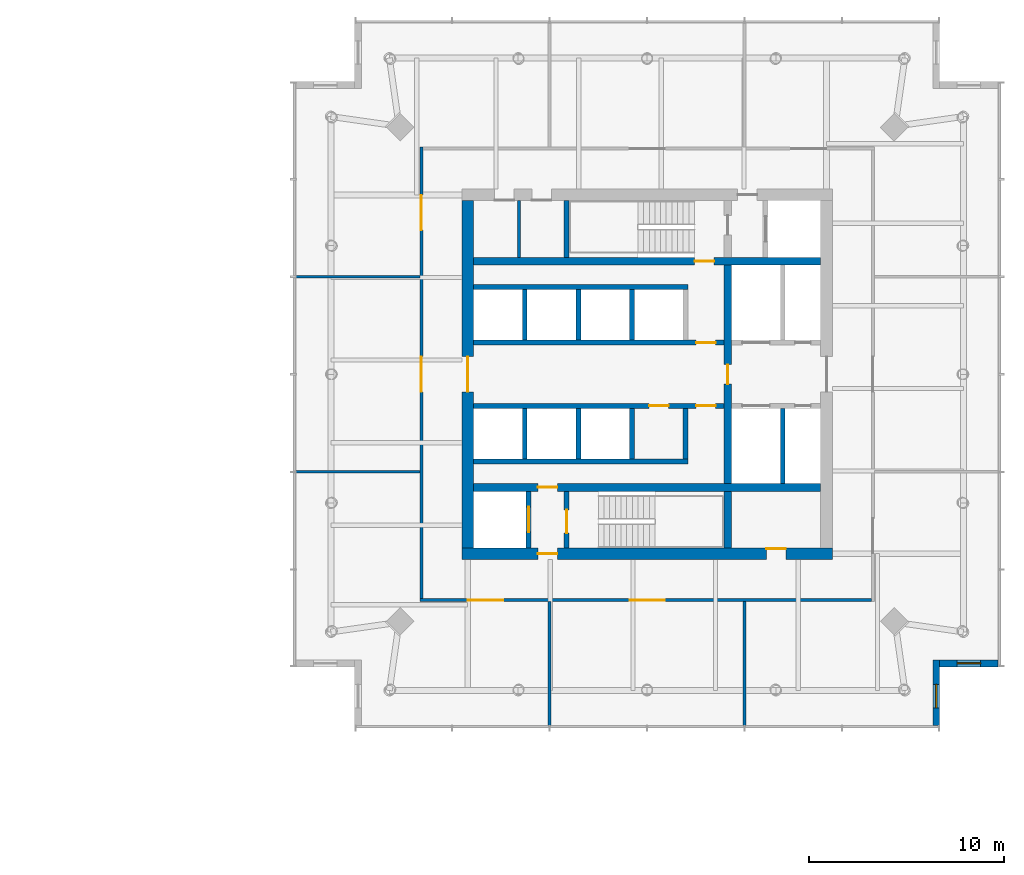
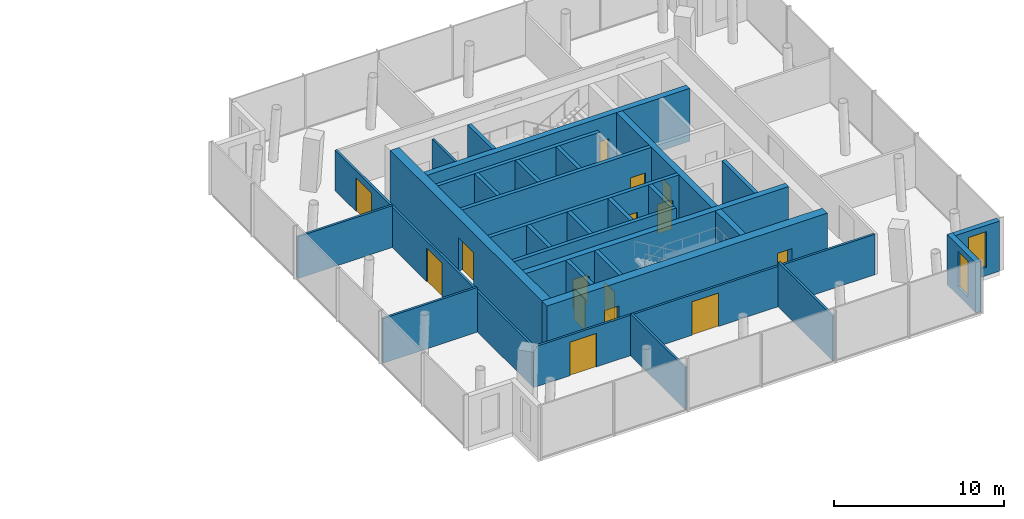
# One storey, part 14 of 18: 30 walls, 15 doors, 2 windows, 17 openings.
"""IFC4 building model written with IfcOpenShell, lengths in metres."""

from ifc_helpers import new_model, si_unit, direction, frame, frame_2d, origin, place, context, subcontext, project, spatial, rectangle, extrude, material, layer, layer_set, type_object, element, fill, save


model = new_model("IFC4")

# Units and contexts
model_context = context("Model", 3, precision=1e-05, world=origin(), true_north=direction((0.0, 1.0)))
body_context = subcontext(model_context, "Body", "Model", "MODEL_VIEW")
ifc_project = project(units=[si_unit("LENGTHUNIT", "METRE"), si_unit("AREAUNIT", "SQUARE_METRE"), si_unit("VOLUMEUNIT", "CUBIC_METRE"), si_unit("PLANEANGLEUNIT", "RADIAN"), si_unit("MASSUNIT", "GRAM", prefix="KILO")], contexts=[model_context])

# Site, building, storey
site_placement = place(None, origin())
site = spatial("IfcSite", under=ifc_project, at=site_placement, CompositionType="ELEMENT")
building_placement = place(site_placement, origin())
building = spatial("IfcBuilding", under=site, at=building_placement, Name="Ostroluk Exchange", CompositionType="ELEMENT")
storey_placement = place(building_placement, frame((0.0, 0.0, 85.60009765625)))
storey = spatial("IfcBuildingStorey", under=building, at=storey_placement, Name="L21", CompositionType="ELEMENT", Elevation=85.60009765625)

# Walls
ifc_material_1 = material(Name="Concrete blockwork", Category="masonry")
ifc_layer_1 = layer(ifc_material_1, 0.14990234375)
ifc_layer_set_1 = layer_set([ifc_layer_1], Name="Blockwork plant room wall 150")
wall_type_1 = type_object("IfcWallType", Name="Blockwork plant room wall 150", PredefinedType="SOLIDWALL", material=ifc_layer_set_1)
wall_1_placement = place(storey_placement, frame((110.425048828125, 52.0, 0.0), z_axis=(0.0, 0.0, 1.0), x_axis=(0.0, 1.0, 0.0)))
element("IfcWall", 1, at=wall_1_placement, inside=storey, type_object=wall_type_1, Name="Core room wall", PredefinedType="SOLIDWALL", context=body_context, shape_type="SweptSolid", body=[
    extrude(rectangle(XDim=2.89990234375, YDim=0.14990234375, at=frame_2d((1.449951171875, 0.0))), origin(), (0.0, 0.0, 1.0), 3.599853515625),
])
wall_2_placement = place(storey_placement, frame((105.35009765625, 51.0, 0.0), z_axis=(0.0, 0.0, 1.0), x_axis=(-1.0, 0.0, 0.0)))
element("IfcWall", 2, at=wall_2_placement, inside=storey, type_object=wall_type_1, Name="Plant room wall", PredefinedType="SOLIDWALL", context=body_context, shape_type="SweptSolid", body=[
    extrude(rectangle(XDim=6.39013671875, YDim=0.14990234375, at=frame_2d((3.195068359375, 0.0))), origin(), (0.0, 0.0, 1.0), 3.0),
])

# Wall, openings, doors
wall_3_placement = place(storey_placement, frame((105.425048828125, 57.64990234375, 0.0), z_axis=(0.0, 0.0, 1.0), x_axis=(0.0, -1.0, 0.0)))
wall_3 = element("IfcWall", 3, at=wall_3_placement, inside=storey, type_object=wall_type_1, Name="Plant room wall", PredefinedType="SOLIDWALL", context=body_context, shape_type="SweptSolid", body=[
    extrude(rectangle(XDim=23.14990234375, YDim=0.14990234375, at=frame_2d((11.574951171875, 0.0))), origin(), (0.0, 0.0, 1.0), 2.89990234375),
])
opening_1_placement = place(wall_3_placement, frame((2.46240234375, 0.0, 0.0)))
opening_1 = element("IfcOpeningElement", 4, at=opening_1_placement, cuts=wall_3, Name="Opening D-05", PredefinedType="OPENING", context=body_context, shape_type="SweptSolid", body=[
    extrude(rectangle(XDim=1.800048828125, YDim=2.39990234375, at=frame_2d((0.89990234375, 1.199951171875))), frame((0.0, 0.0849609375, 0.0), z_axis=(0.0, -1.0, 0.0), x_axis=(1.0, 0.0, 0.0)), (0.0, 0.0, 1.0), 0.169921875),
])
opening_2_placement = place(wall_3_placement, frame((10.75, 0.0, 0.0)))
opening_2 = element("IfcOpeningElement", 5, at=opening_2_placement, cuts=wall_3, Name="Opening D-05", PredefinedType="OPENING", context=body_context, shape_type="SweptSolid", body=[
    extrude(rectangle(XDim=1.800048828125, YDim=2.39990234375, at=frame_2d((0.89990234375, 1.199951171875))), frame((0.0, 0.0849609375, 0.0), z_axis=(0.0, -1.0, 0.0), x_axis=(1.0, 0.0, 0.0)), (0.0, 0.0, 1.0), 0.169921875),
])
ifc_material_2 = material(Name="Steel", Category="steel")
door_type_1 = type_object("IfcDoorType", Name="Plant room double door EI 60 1800 x 2400", OperationType="DOUBLE_DOOR_SINGLE_SWING", PredefinedType="DOOR", material=ifc_material_2)
door_1_placement = place(opening_1_placement, origin())
door_1 = element("IfcDoor", 6, at=door_1_placement, inside=storey, type_object=door_type_1, Name="Electrical switch room door", OperationType="DOUBLE_DOOR_SINGLE_SWING", OverallHeight=2.39990234375, OverallWidth=1.800048828125, PredefinedType="DOOR", context=body_context, shape_type="SweptSolid", body=[
    extrude(rectangle(XDim=1.800048828125, YDim=2.39990234375, at=frame_2d((0.89990234375, 1.199951171875))), frame((0.0, 0.02490234375, 0.0), z_axis=(0.0, -1.0, 0.0), x_axis=(1.0, 0.0, 0.0)), (0.0, 0.0, 1.0), 0.050048828125),
])
fill(opening_1, door_1)
door_2_placement = place(opening_2_placement, origin())
door_2 = element("IfcDoor", 7, at=door_2_placement, inside=storey, type_object=door_type_1, Name="Transformer room door", OperationType="DOUBLE_DOOR_SINGLE_SWING", OverallHeight=2.39990234375, OverallWidth=1.800048828125, PredefinedType="DOOR", context=body_context, shape_type="SweptSolid", body=[
    extrude(rectangle(XDim=1.800048828125, YDim=2.39990234375, at=frame_2d((0.89990234375, 1.199951171875))), frame((0.0, 0.02490234375, 0.0), z_axis=(0.0, -1.0, 0.0), x_axis=(1.0, 0.0, 0.0)), (0.0, 0.0, 1.0), 0.050048828125),
])
fill(opening_2, door_2)

# Walls
wall_4_placement = place(storey_placement, frame((105.35009765625, 41.0, 0.0), z_axis=(0.0, 0.0, 1.0), x_axis=(-1.0, 0.0, 0.0)))
element("IfcWall", 8, at=wall_4_placement, inside=storey, type_object=wall_type_1, Name="Plant room wall", PredefinedType="SOLIDWALL", context=body_context, shape_type="SweptSolid", body=[
    extrude(rectangle(XDim=6.39013671875, YDim=0.14990234375, at=frame_2d((3.195068359375, 0.0))), origin(), (0.0, 0.0, 1.0), 3.199951171875),
])
wall_5_placement = place(storey_placement, frame((112.0, 34.35009765625, 0.0), z_axis=(0.0, 0.0, 1.0), x_axis=(0.0, -1.0, 0.0)))
element("IfcWall", 9, at=wall_5_placement, inside=storey, type_object=wall_type_1, Name="Plant room wall", PredefinedType="SOLIDWALL", context=body_context, shape_type="SweptSolid", body=[
    extrude(rectangle(XDim=6.39013671875, YDim=0.14990234375, at=frame_2d((3.195068359375, 0.0))), origin(), (0.0, 0.0, 1.0), 3.0),
])

# Wall, openings, doors
wall_6_placement = place(storey_placement, frame((105.35009765625, 34.425048828125, 0.0), z_axis=(0.0, 0.0, 1.0), x_axis=(1.0, 0.0, 0.0)))
wall_6 = element("IfcWall", 10, at=wall_6_placement, inside=storey, type_object=wall_type_1, Name="Plant room wall", PredefinedType="SOLIDWALL", context=body_context, shape_type="SweptSolid", body=[
    extrude(rectangle(XDim=23.14990234375, YDim=0.14990234375, at=frame_2d((11.574951171875, 0.0))), origin(), (0.0, 0.0, 1.0), 2.89990234375),
])
opening_3_placement = place(wall_6_placement, frame((2.46240234375, 0.0, 0.0)))
opening_3 = element("IfcOpeningElement", 11, at=opening_3_placement, cuts=wall_6, Name="Opening D-05", PredefinedType="OPENING", context=body_context, shape_type="SweptSolid", body=[
    extrude(rectangle(XDim=1.800048828125, YDim=2.39990234375, at=frame_2d((0.89990234375, 1.199951171875))), frame((0.0, 0.0849609375, 0.0), z_axis=(0.0, -1.0, 0.0), x_axis=(1.0, 0.0, 0.0)), (0.0, 0.0, 1.0), 0.169921875),
])
opening_4_placement = place(wall_6_placement, frame((10.75, 0.0, 0.0)))
opening_4 = element("IfcOpeningElement", 12, at=opening_4_placement, cuts=wall_6, Name="Opening D-05", PredefinedType="OPENING", context=body_context, shape_type="SweptSolid", body=[
    extrude(rectangle(XDim=1.800048828125, YDim=2.39990234375, at=frame_2d((0.89990234375, 1.199951171875))), frame((0.0, 0.0849609375, 0.0), z_axis=(0.0, -1.0, 0.0), x_axis=(1.0, 0.0, 0.0)), (0.0, 0.0, 1.0), 0.169921875),
])
door_3_placement = place(opening_3_placement, origin())
door_3 = element("IfcDoor", 13, at=door_3_placement, inside=storey, type_object=door_type_1, Name="Sprinkler pump room door", OperationType="DOUBLE_DOOR_SINGLE_SWING", OverallHeight=2.39990234375, OverallWidth=1.800048828125, PredefinedType="DOOR", context=body_context, shape_type="SweptSolid", body=[
    extrude(rectangle(XDim=1.800048828125, YDim=2.39990234375, at=frame_2d((0.89990234375, 1.199951171875))), frame((0.0, 0.02490234375, 0.0), z_axis=(0.0, -1.0, 0.0), x_axis=(1.0, 0.0, 0.0)), (0.0, 0.0, 1.0), 0.050048828125),
])
fill(opening_3, door_3)
door_4_placement = place(opening_4_placement, origin())
door_4 = element("IfcDoor", 14, at=door_4_placement, inside=storey, type_object=door_type_1, Name="Chiller plant room door", OperationType="DOUBLE_DOOR_SINGLE_SWING", OverallHeight=2.39990234375, OverallWidth=1.800048828125, PredefinedType="DOOR", context=body_context, shape_type="SweptSolid", body=[
    extrude(rectangle(XDim=1.800048828125, YDim=2.39990234375, at=frame_2d((0.89990234375, 1.199951171875))), frame((0.0, 0.02490234375, 0.0), z_axis=(0.0, -1.0, 0.0), x_axis=(1.0, 0.0, 0.0)), (0.0, 0.0, 1.0), 0.050048828125),
])
fill(opening_4, door_4)

# Wall
wall_7_placement = place(storey_placement, frame((122.0, 34.35009765625, 0.0), z_axis=(0.0, 0.0, 1.0), x_axis=(0.0, -1.0, 0.0)))
element("IfcWall", 15, at=wall_7_placement, inside=storey, type_object=wall_type_1, Name="Plant room wall", PredefinedType="SOLIDWALL", context=body_context, shape_type="SweptSolid", body=[
    extrude(rectangle(XDim=6.39013671875, YDim=0.14990234375, at=frame_2d((3.195068359375, 0.0))), origin(), (0.0, 0.0, 1.0), 3.199951171875),
])

# Wall, opening, door
ifc_material_3 = material(Name="Concrete C50/60", Category="concrete")
ifc_layer_2 = layer(ifc_material_3, 0.39990234375)
ifc_layer_set_2 = layer_set([ifc_layer_2], Name="Core cross wall 400 C50/60")
wall_type_2 = type_object("IfcWallType", Name="Core cross wall 400 C50/60", PredefinedType="SHEAR", material=ifc_layer_set_2)
wall_8_placement = place(storey_placement, frame((108.10009765625, 40.199951171875, 0.0), z_axis=(0.0, 0.0, 1.0), x_axis=(1.0, 0.0, 0.0)))
wall_8 = element("IfcWall", 16, at=wall_8_placement, inside=storey, type_object=wall_type_2, Name="T2 core wall XS", PredefinedType="SHEAR", context=body_context, shape_type="SweptSolid", body=[
    extrude(rectangle(XDim=17.7998046875, YDim=0.39990234375, at=frame_2d((8.89990234375, 0.0))), origin(), (0.0, 0.0, 1.0), 3.7998046875),
])
opening_5_placement = place(wall_8_placement, frame((3.300048828125, 0.0, 0.0)))
opening_5 = element("IfcOpeningElement", 17, at=opening_5_placement, cuts=wall_8, Name="Opening FD60", PredefinedType="OPENING", context=body_context, shape_type="SweptSolid", body=[
    extrude(rectangle(XDim=1.0, YDim=2.10009765625, at=frame_2d((0.5, 1.050048828125))), frame((0.0, 0.2099609375, 0.0), z_axis=(0.0, -1.0, 0.0), x_axis=(1.0, 0.0, 0.0)), (0.0, 0.0, 1.0), 0.419921875),
])
ifc_material_4 = material(Name="Steel", Category="steel")
door_type_2 = type_object("IfcDoorType", Name="Fire door EI 60 1000 x 2100", OperationType="SINGLE_SWING_LEFT", PredefinedType="DOOR", material=ifc_material_4)
door_5_placement = place(opening_5_placement, origin())
door_5 = element("IfcDoor", 18, at=door_5_placement, inside=storey, type_object=door_type_2, Name="Core link door", OperationType="SINGLE_SWING_LEFT", OverallHeight=2.10009765625, OverallWidth=1.0, PredefinedType="DOOR", context=body_context, shape_type="SweptSolid", body=[
    extrude(rectangle(XDim=1.0, YDim=2.10009765625, at=frame_2d((0.5, 1.050048828125))), frame((0.0, 0.02490234375, 0.0), z_axis=(0.0, -1.0, 0.0), x_axis=(1.0, 0.0, 0.0)), (0.0, 0.0, 1.0), 0.050048828125),
])
fill(opening_5, door_5)

wall_9_placement = place(storey_placement, frame((108.10009765625, 51.800048828125, 0.0), z_axis=(0.0, 0.0, 1.0), x_axis=(1.0, 0.0, 0.0)))
wall_9 = element("IfcWall", 19, at=wall_9_placement, inside=storey, type_object=wall_type_2, Name="T2 core wall XN", PredefinedType="SHEAR", context=body_context, shape_type="SweptSolid", body=[
    extrude(rectangle(XDim=17.7998046875, YDim=0.39990234375, at=frame_2d((8.89990234375, 0.0))), origin(), (0.0, 0.0, 1.0), 3.7998046875),
])
opening_6_placement = place(wall_9_placement, frame((11.330078125, 0.0, 0.0)))
opening_6 = element("IfcOpeningElement", 20, at=opening_6_placement, cuts=wall_9, Name="Opening FD60", PredefinedType="OPENING", context=body_context, shape_type="SweptSolid", body=[
    extrude(rectangle(XDim=1.0, YDim=2.10009765625, at=frame_2d((0.5, 1.050048828125))), frame((0.0, 0.2099609375, 0.0), z_axis=(0.0, -1.0, 0.0), x_axis=(1.0, 0.0, 0.0)), (0.0, 0.0, 1.0), 0.419921875),
])
door_6_placement = place(opening_6_placement, origin())
door_6 = element("IfcDoor", 21, at=door_6_placement, inside=storey, type_object=door_type_2, Name="Stair T2-S2 lobby door", OperationType="SINGLE_SWING_RIGHT", OverallHeight=2.10009765625, OverallWidth=1.0, PredefinedType="DOOR", context=body_context, shape_type="SweptSolid", body=[
    extrude(rectangle(XDim=1.0, YDim=2.10009765625, at=frame_2d((0.5, 1.050048828125))), frame((0.0, 0.02490234375, 0.0), z_axis=(0.0, -1.0, 0.0), x_axis=(1.0, 0.0, 0.0)), (0.0, 0.0, 1.0), 0.050048828125),
])
fill(opening_6, door_6)

# Wall
wall_10_placement = place(storey_placement, frame((121.1298828125, 37.10009765625, 0.0), z_axis=(0.0, 0.0, 1.0), x_axis=(0.0, 1.0, 0.0)))
element("IfcWall", 22, at=wall_10_placement, inside=storey, type_object=wall_type_2, Name="T2 core wall YE1", PredefinedType="SHEAR", context=body_context, shape_type="SweptSolid", body=[
    extrude(rectangle(XDim=2.89990234375, YDim=0.39990234375, at=frame_2d((1.449951171875, 0.0))), origin(), (0.0, 0.0, 1.0), 3.7998046875),
])

# Wall, opening, door
wall_11_placement = place(storey_placement, frame((121.1298828125, 40.39990234375, 0.0), z_axis=(0.0, 0.0, 1.0), x_axis=(0.0, 1.0, 0.0)))
wall_11 = element("IfcWall", 23, at=wall_11_placement, inside=storey, type_object=wall_type_2, Name="T2 core wall YE2", PredefinedType="SHEAR", context=body_context, shape_type="SweptSolid", body=[
    extrude(rectangle(XDim=11.2001953125, YDim=0.39990234375, at=frame_2d((5.60009765625, 0.0))), origin(), (0.0, 0.0, 1.0), 3.7998046875),
])
opening_7_placement = place(wall_11_placement, frame((5.10009765625, 0.0, 0.0)))
opening_7 = element("IfcOpeningElement", 24, at=opening_7_placement, cuts=wall_11, Name="Opening FD60", PredefinedType="OPENING", context=body_context, shape_type="SweptSolid", body=[
    extrude(rectangle(XDim=1.0, YDim=2.10009765625, at=frame_2d((0.5, 1.050048828125))), frame((0.0, 0.2099609375, 0.0), z_axis=(0.0, -1.0, 0.0), x_axis=(1.0, 0.0, 0.0)), (0.0, 0.0, 1.0), 0.419921875),
])
door_7_placement = place(opening_7_placement, origin())
door_7 = element("IfcDoor", 25, at=door_7_placement, inside=storey, type_object=door_type_2, Name="Core link door", OperationType="SINGLE_SWING_LEFT", OverallHeight=2.10009765625, OverallWidth=1.0, PredefinedType="DOOR", context=body_context, shape_type="SweptSolid", body=[
    extrude(rectangle(XDim=1.0, YDim=2.10009765625, at=frame_2d((0.5, 1.050048828125))), frame((0.0, 0.02490234375, 0.0), z_axis=(0.0, -1.0, 0.0), x_axis=(1.0, 0.0, 0.0)), (0.0, 0.0, 1.0), 0.050048828125),
])
fill(opening_7, door_7)

ifc_material_5 = material(Name="Concrete C40/50", Category="concrete")
ifc_layer_3 = layer(ifc_material_5, 0.25)
ifc_layer_set_3 = layer_set([ifc_layer_3], Name="Core shaft wall 250")
wall_type_3 = type_object("IfcWallType", Name="Core shaft wall 250", PredefinedType="SHEAR", material=ifc_layer_set_3)
wall_12_placement = place(storey_placement, frame((110.925048828125, 37.10009765625, 0.0), z_axis=(0.0, 0.0, 1.0), x_axis=(0.0, 1.0, 0.0)))
wall_12 = element("IfcWall", 26, at=wall_12_placement, inside=storey, type_object=wall_type_3, Name="Firefighting lift shaft wall", PredefinedType="SHEAR", context=body_context, shape_type="SweptSolid", body=[
    extrude(rectangle(XDim=2.89990234375, YDim=0.25, at=frame_2d((1.449951171875, 0.0))), origin(), (0.0, 0.0, 1.0), 3.7998046875),
])
opening_8_placement = place(wall_12_placement, frame((0.800048828125, 0.0, 0.0)))
opening_8 = element("IfcOpeningElement", 27, at=opening_8_placement, cuts=wall_12, Name="Opening LD2", PredefinedType="OPENING", context=body_context, shape_type="SweptSolid", body=[
    extrude(rectangle(XDim=1.300048828125, YDim=2.199951171875, at=frame_2d((0.64990234375, 1.10009765625))), frame((0.0, 0.135009765625, 0.0), z_axis=(0.0, -1.0, 0.0), x_axis=(1.0, 0.0, 0.0)), (0.0, 0.0, 1.0), 0.27001953125),
])
ifc_material_6 = material(Name="Stainless steel", Category="steel")
door_type_3 = type_object("IfcDoorType", Name="Lift landing door E 60 1300 x 2200", OperationType="DOUBLE_DOOR_SLIDING", PredefinedType="DOOR", material=ifc_material_6)
door_8_placement = place(opening_8_placement, origin())
door_8 = element("IfcDoor", 28, at=door_8_placement, inside=storey, type_object=door_type_3, Name="Lift HF1 landing door", OperationType="DOUBLE_DOOR_SLIDING", OverallHeight=2.199951171875, OverallWidth=1.300048828125, PredefinedType="DOOR", context=body_context, shape_type="SweptSolid", body=[
    extrude(rectangle(XDim=1.300048828125, YDim=2.199951171875, at=frame_2d((0.64990234375, 1.10009765625))), frame((0.0, 0.02490234375, 0.0), z_axis=(0.0, -1.0, 0.0), x_axis=(1.0, 0.0, 0.0)), (0.0, 0.0, 1.0), 0.050048828125),
])
fill(opening_8, door_8)

wall_13_placement = place(storey_placement, frame((112.875, 37.10009765625, 0.0), z_axis=(0.0, 0.0, 1.0), x_axis=(0.0, 1.0, 0.0)))
wall_13 = element("IfcWall", 29, at=wall_13_placement, inside=storey, type_object=wall_type_3, Name="Stair shaft wall", PredefinedType="SHEAR", context=body_context, shape_type="SweptSolid", body=[
    extrude(rectangle(XDim=2.89990234375, YDim=0.25, at=frame_2d((1.449951171875, 0.0))), origin(), (0.0, 0.0, 1.0), 3.7998046875),
])
opening_9_placement = place(wall_13_placement, frame((0.75, 0.0, 0.0)))
opening_9 = element("IfcOpeningElement", 30, at=opening_9_placement, cuts=wall_13, Name="Opening FD60S", PredefinedType="OPENING", context=body_context, shape_type="SweptSolid", body=[
    extrude(rectangle(XDim=1.199951171875, YDim=2.10009765625, at=frame_2d((0.60009765625, 1.050048828125))), frame((0.0, 0.135009765625, 0.0), z_axis=(0.0, -1.0, 0.0), x_axis=(1.0, 0.0, 0.0)), (0.0, 0.0, 1.0), 0.27001953125),
])
ifc_material_7 = material(Name="Steel", Category="steel")
door_type_4 = type_object("IfcDoorType", Name="Stair door EI 60 1200 x 2100", OperationType="SINGLE_SWING_LEFT", PredefinedType="DOOR", material=ifc_material_7)
door_9_placement = place(opening_9_placement, origin())
door_9 = element("IfcDoor", 31, at=door_9_placement, inside=storey, type_object=door_type_4, Name="Stair T2-S1 door", OperationType="SINGLE_SWING_LEFT", OverallHeight=2.10009765625, OverallWidth=1.199951171875, PredefinedType="DOOR", context=body_context, shape_type="SweptSolid", body=[
    extrude(rectangle(XDim=1.199951171875, YDim=2.10009765625, at=frame_2d((0.60009765625, 1.050048828125))), frame((0.0, 0.02490234375, 0.0), z_axis=(0.0, -1.0, 0.0), x_axis=(1.0, 0.0, 0.0)), (0.0, 0.0, 1.0), 0.050048828125),
])
fill(opening_9, door_9)

# Walls
wall_14_placement = place(storey_placement, frame((112.875, 52.0, 0.0), z_axis=(0.0, 0.0, 1.0), x_axis=(0.0, 1.0, 0.0)))
element("IfcWall", 32, at=wall_14_placement, inside=storey, type_object=wall_type_3, Name="Stair shaft wall", PredefinedType="SHEAR", context=body_context, shape_type="SweptSolid", body=[
    extrude(rectangle(XDim=2.89990234375, YDim=0.25, at=frame_2d((1.449951171875, 0.0))), origin(), (0.0, 0.0, 1.0), 3.7998046875),
])
for number, where, z_axis, x_axis, name in (
    (33, (110.72509765625, 47.75, 0.0), (0.0, 0.0, 1.0), (0.0, 1.0, 0.0), "Lift shaft wall"),
    (34, (113.47509765625, 47.75, 0.0), (0.0, 0.0, 1.0), (0.0, 1.0, 0.0), "Lift shaft wall"),
    (35, (116.22509765625, 47.75, 0.0), (0.0, 0.0, 1.0), (0.0, 1.0, 0.0), "Lift shaft wall"),
):
    element("IfcWall", number, at=place(storey_placement, frame(where, z_axis=z_axis, x_axis=x_axis)), inside=storey, type_object=wall_type_3, Name=name, PredefinedType="SHEAR", context=body_context, shape_type="SweptSolid", body=[
        extrude(rectangle(XDim=2.60009765625, YDim=0.25, at=frame_2d((1.300048828125, 0.0))), origin(), (0.0, 0.0, 1.0), 3.7998046875),
    ])
wall_15_placement = place(storey_placement, frame((108.10009765625, 50.47509765625, 0.0), z_axis=(0.0, 0.0, 1.0), x_axis=(1.0, 0.0, 0.0)))
element("IfcWall", 36, at=wall_15_placement, inside=storey, type_object=wall_type_3, Name="Lift shaft wall", PredefinedType="SHEAR", context=body_context, shape_type="SweptSolid", body=[
    extrude(rectangle(XDim=11.0, YDim=0.25, at=frame_2d((5.5, 0.0))), origin(), (0.0, 0.0, 1.0), 3.7998046875),
])

# Wall, opening, door
wall_16_placement = place(storey_placement, frame((108.10009765625, 47.625, 0.0), z_axis=(0.0, 0.0, 1.0), x_axis=(1.0, 0.0, 0.0)))
wall_16 = element("IfcWall", 37, at=wall_16_placement, inside=storey, type_object=wall_type_3, Name="Lift shaft front wall", PredefinedType="SHEAR", context=body_context, shape_type="SweptSolid", body=[
    extrude(rectangle(XDim=12.829833984375, YDim=0.25, at=frame_2d((6.4150390625, 0.0))), origin(), (0.0, 0.0, 1.0), 3.7998046875),
])
opening_10_placement = place(wall_16_placement, frame((11.4150390625, 0.0, 0.0)))
opening_10 = element("IfcOpeningElement", 38, at=opening_10_placement, cuts=wall_16, Name="Opening FD60", PredefinedType="OPENING", context=body_context, shape_type="SweptSolid", body=[
    extrude(rectangle(XDim=1.0, YDim=2.10009765625, at=frame_2d((0.5, 1.050048828125))), frame((0.0, 0.135009765625, 0.0), z_axis=(0.0, -1.0, 0.0), x_axis=(1.0, 0.0, 0.0)), (0.0, 0.0, 1.0), 0.27001953125),
])
door_10_placement = place(opening_10_placement, origin())
door_10 = element("IfcDoor", 39, at=door_10_placement, inside=storey, type_object=door_type_2, Name="Core link door", OperationType="SINGLE_SWING_RIGHT", OverallHeight=2.10009765625, OverallWidth=1.0, PredefinedType="DOOR", context=body_context, shape_type="SweptSolid", body=[
    extrude(rectangle(XDim=1.0, YDim=2.10009765625, at=frame_2d((0.5, 1.050048828125))), frame((0.0, 0.02490234375, 0.0), z_axis=(0.0, -1.0, 0.0), x_axis=(1.0, 0.0, 0.0)), (0.0, 0.0, 1.0), 0.050048828125),
])
fill(opening_10, door_10)

# Walls
for number, where, z_axis, x_axis, name in (
    (40, (110.72509765625, 44.25, 0.0), (0.0, 0.0, 1.0), (0.0, -1.0, 0.0), "Lift shaft wall"),
    (41, (113.47509765625, 44.25, 0.0), (0.0, 0.0, 1.0), (0.0, -1.0, 0.0), "Lift shaft wall"),
    (42, (116.22509765625, 44.25, 0.0), (0.0, 0.0, 1.0), (0.0, -1.0, 0.0), "Lift shaft wall"),
    (43, (118.97509765625, 44.25, 0.0), (0.0, 0.0, 1.0), (0.0, -1.0, 0.0), "Lift shaft wall"),
):
    element("IfcWall", number, at=place(storey_placement, frame(where, z_axis=z_axis, x_axis=x_axis)), inside=storey, type_object=wall_type_3, Name=name, PredefinedType="SHEAR", context=body_context, shape_type="SweptSolid", body=[
        extrude(rectangle(XDim=2.60009765625, YDim=0.25, at=frame_2d((1.300048828125, 0.0))), origin(), (0.0, 0.0, 1.0), 3.7998046875),
    ])
wall_17_placement = place(storey_placement, frame((108.10009765625, 41.52490234375, 0.0), z_axis=(0.0, 0.0, 1.0), x_axis=(1.0, 0.0, 0.0)))
element("IfcWall", 44, at=wall_17_placement, inside=storey, type_object=wall_type_3, Name="Lift shaft wall", PredefinedType="SHEAR", context=body_context, shape_type="SweptSolid", body=[
    extrude(rectangle(XDim=11.0, YDim=0.25, at=frame_2d((5.5, 0.0))), origin(), (0.0, 0.0, 1.0), 3.7998046875),
])

# Wall, openings, doors
wall_18_placement = place(storey_placement, frame((108.10009765625, 44.375, 0.0), z_axis=(0.0, 0.0, 1.0), x_axis=(1.0, 0.0, 0.0)))
wall_18 = element("IfcWall", 45, at=wall_18_placement, inside=storey, type_object=wall_type_3, Name="Lift shaft front wall", PredefinedType="SHEAR", context=body_context, shape_type="SweptSolid", body=[
    extrude(rectangle(XDim=12.829833984375, YDim=0.25, at=frame_2d((6.4150390625, 0.0))), origin(), (0.0, 0.0, 1.0), 3.7998046875),
])
opening_11_placement = place(wall_18_placement, frame((9.0, 0.0, 0.0)))
opening_11 = element("IfcOpeningElement", 46, at=opening_11_placement, cuts=wall_18, Name="Opening FD60", PredefinedType="OPENING", context=body_context, shape_type="SweptSolid", body=[
    extrude(rectangle(XDim=1.0, YDim=2.10009765625, at=frame_2d((0.5, 1.050048828125))), frame((0.0, 0.135009765625, 0.0), z_axis=(0.0, -1.0, 0.0), x_axis=(1.0, 0.0, 0.0)), (0.0, 0.0, 1.0), 0.27001953125),
])
opening_12_placement = place(wall_18_placement, frame((11.4150390625, 0.0, 0.0)))
opening_12 = element("IfcOpeningElement", 47, at=opening_12_placement, cuts=wall_18, Name="Opening FD60", PredefinedType="OPENING", context=body_context, shape_type="SweptSolid", body=[
    extrude(rectangle(XDim=1.0, YDim=2.10009765625, at=frame_2d((0.5, 1.050048828125))), frame((0.0, 0.135009765625, 0.0), z_axis=(0.0, -1.0, 0.0), x_axis=(1.0, 0.0, 0.0)), (0.0, 0.0, 1.0), 0.27001953125),
])
door_11_placement = place(opening_11_placement, origin())
door_11 = element("IfcDoor", 48, at=door_11_placement, inside=storey, type_object=door_type_2, Name="Core room door", OperationType="SINGLE_SWING_RIGHT", OverallHeight=2.10009765625, OverallWidth=1.0, PredefinedType="DOOR", context=body_context, shape_type="SweptSolid", body=[
    extrude(rectangle(XDim=1.0, YDim=2.10009765625, at=frame_2d((0.5, 1.050048828125))), frame((0.0, 0.02490234375, 0.0), z_axis=(0.0, -1.0, 0.0), x_axis=(1.0, 0.0, 0.0)), (0.0, 0.0, 1.0), 0.050048828125),
])
fill(opening_11, door_11)
door_12_placement = place(opening_12_placement, origin())
door_12 = element("IfcDoor", 49, at=door_12_placement, inside=storey, type_object=door_type_2, Name="Core link door", OperationType="SINGLE_SWING_RIGHT", OverallHeight=2.10009765625, OverallWidth=1.0, PredefinedType="DOOR", context=body_context, shape_type="SweptSolid", body=[
    extrude(rectangle(XDim=1.0, YDim=2.10009765625, at=frame_2d((0.5, 1.050048828125))), frame((0.0, 0.02490234375, 0.0), z_axis=(0.0, -1.0, 0.0), x_axis=(1.0, 0.0, 0.0)), (0.0, 0.0, 1.0), 0.050048828125),
])
fill(opening_12, door_12)

# Wall
wall_19_placement = place(storey_placement, frame((123.955078125, 44.25, 0.0), z_axis=(0.0, 0.0, 1.0), x_axis=(0.0, -1.0, 0.0)))
element("IfcWall", 50, at=wall_19_placement, inside=storey, type_object=wall_type_3, Name="Lift shaft wall", PredefinedType="SHEAR", context=body_context, shape_type="SweptSolid", body=[
    extrude(rectangle(XDim=3.85009765625, YDim=0.25, at=frame_2d((1.925048828125, 0.0))), origin(), (0.0, 0.0, 1.0), 3.7998046875),
])

# Wall, openings, doors
ifc_material_8 = material(Name="Concrete C50/60", Category="concrete")
ifc_layer_4 = layer(ifc_material_8, 0.60009765625)
ifc_layer_set_4 = layer_set([ifc_layer_4], Name="Core wall 600 C50/60")
wall_type_4 = type_object("IfcWallType", Name="Core wall 600 C50/60", PredefinedType="SHEAR", material=ifc_layer_set_4)
wall_20_placement = place(storey_placement, frame((107.5, 36.800048828125, 0.0), z_axis=(0.0, 0.0, 1.0), x_axis=(1.0, 0.0, 0.0)))
wall_20 = element("IfcWall", 51, at=wall_20_placement, inside=storey, type_object=wall_type_4, Name="T2 core wall S", PredefinedType="SHEAR", context=body_context, shape_type="SweptSolid", body=[
    extrude(rectangle(XDim=19.0, YDim=0.60009765625, at=frame_2d((9.5, 0.0))), origin(), (0.0, 0.0, 1.0), 3.7998046875),
])
opening_13_placement = place(wall_20_placement, frame((3.89990234375, 0.0, 0.0)))
opening_13 = element("IfcOpeningElement", 52, at=opening_13_placement, cuts=wall_20, Name="Opening FD60", PredefinedType="OPENING", context=body_context, shape_type="SweptSolid", body=[
    extrude(rectangle(XDim=1.0, YDim=2.10009765625, at=frame_2d((0.5, 1.050048828125))), frame((0.0, 0.31005859375, 0.0), z_axis=(0.0, -1.0, 0.0), x_axis=(1.0, 0.0, 0.0)), (0.0, 0.0, 1.0), 0.6201171875),
])
opening_14_placement = place(wall_20_placement, frame((15.614990234375, 0.0, 0.0)))
opening_14 = element("IfcOpeningElement", 53, at=opening_14_placement, cuts=wall_20, Name="Opening FD60", PredefinedType="OPENING", context=body_context, shape_type="SweptSolid", body=[
    extrude(rectangle(XDim=1.0, YDim=2.10009765625, at=frame_2d((0.5, 1.050048828125))), frame((0.0, 0.31005859375, 0.0), z_axis=(0.0, -1.0, 0.0), x_axis=(1.0, 0.0, 0.0)), (0.0, 0.0, 1.0), 0.6201171875),
])
door_13_placement = place(opening_13_placement, origin())
door_13 = element("IfcDoor", 54, at=door_13_placement, inside=storey, type_object=door_type_2, Name="Firefighting lobby door", OperationType="SINGLE_SWING_LEFT", OverallHeight=2.10009765625, OverallWidth=1.0, PredefinedType="DOOR", context=body_context, shape_type="SweptSolid", body=[
    extrude(rectangle(XDim=1.0, YDim=2.10009765625, at=frame_2d((0.5, 1.050048828125))), frame((0.0, 0.02490234375, 0.0), z_axis=(0.0, -1.0, 0.0), x_axis=(1.0, 0.0, 0.0)), (0.0, 0.0, 1.0), 0.050048828125),
])
fill(opening_13, door_13)
door_14_placement = place(opening_14_placement, origin())
door_14 = element("IfcDoor", 55, at=door_14_placement, inside=storey, type_object=door_type_2, Name="Plant control room door", OperationType="SINGLE_SWING_RIGHT", OverallHeight=2.10009765625, OverallWidth=1.0, PredefinedType="DOOR", context=body_context, shape_type="SweptSolid", body=[
    extrude(rectangle(XDim=1.0, YDim=2.10009765625, at=frame_2d((0.5, 1.050048828125))), frame((0.0, 0.2900390625, 0.0), z_axis=(0.0, -1.0, 0.0), x_axis=(1.0, 0.0, 0.0)), (0.0, 0.0, 1.0), 0.050048828125),
])
fill(opening_14, door_14)

# Wall, opening, door
wall_21_placement = place(storey_placement, frame((107.800048828125, 37.10009765625, 0.0), z_axis=(0.0, 0.0, 1.0), x_axis=(0.0, 1.0, 0.0)))
wall_21 = element("IfcWall", 56, at=wall_21_placement, inside=storey, type_object=wall_type_4, Name="T2 core wall W", PredefinedType="SHEAR", context=body_context, shape_type="SweptSolid", body=[
    extrude(rectangle(XDim=17.7998046875, YDim=0.60009765625, at=frame_2d((8.89990234375, 0.0))), origin(), (0.0, 0.0, 1.0), 3.7998046875),
])
opening_15_placement = place(wall_21_placement, frame((8.0, 0.0, 0.0)))
opening_15 = element("IfcOpeningElement", 57, at=opening_15_placement, cuts=wall_21, Name="Opening FD30D", PredefinedType="OPENING", context=body_context, shape_type="SweptSolid", body=[
    extrude(rectangle(XDim=1.800048828125, YDim=2.39990234375, at=frame_2d((0.89990234375, 1.199951171875))), frame((0.0, 0.31005859375, 0.0), z_axis=(0.0, -1.0, 0.0), x_axis=(1.0, 0.0, 0.0)), (0.0, 0.0, 1.0), 0.6201171875),
])
ifc_material_9 = material(Name="Timber", Category="wood")
door_type_5 = type_object("IfcDoorType", Name="Lobby double door EI 30 1800 x 2400", OperationType="DOUBLE_DOOR_SINGLE_SWING", PredefinedType="DOOR", material=ifc_material_9)
door_15_placement = place(opening_15_placement, origin())
door_15 = element("IfcDoor", 58, at=door_15_placement, inside=storey, type_object=door_type_5, Name="Lift lobby doors", OperationType="DOUBLE_DOOR_SINGLE_SWING", OverallHeight=2.39990234375, OverallWidth=1.800048828125, PredefinedType="DOOR", context=body_context, shape_type="SweptSolid", body=[
    extrude(rectangle(XDim=1.800048828125, YDim=2.39990234375, at=frame_2d((0.89990234375, 1.199951171875))), frame((0.0, 0.02490234375, 0.0), z_axis=(0.0, -1.0, 0.0), x_axis=(1.0, 0.0, 0.0)), (0.0, 0.0, 1.0), 0.050048828125),
])
fill(opening_15, door_15)

# Wall, opening, window
ifc_material_10 = material(Name="Limestone", Category="masonry")
ifc_layer_5 = layer(ifc_material_10, 0.35009765625)
ifc_layer_set_5 = layer_set([ifc_layer_5], Name="Limestone facade wall 350")
wall_type_5 = type_object("IfcWallType", Name="Limestone facade wall 350", PredefinedType="SOLIDWALL", material=ifc_layer_set_5)
wall_22_placement = place(storey_placement, frame((131.824951171875, 28.0, 0.0), z_axis=(0.0, 0.0, 1.0), x_axis=(0.0, 1.0, 0.0)))
wall_22 = element("IfcWall", 59, at=wall_22_placement, inside=storey, type_object=wall_type_5, Name="Hotel tower SE corner wall L21 a", PredefinedType="SOLIDWALL", context=body_context, shape_type="SweptSolid", body=[
    extrude(rectangle(XDim=3.35009765625, YDim=0.35009765625, at=frame_2d((1.675048828125, 0.0))), origin(), (0.0, 0.0, 1.0), 3.599853515625),
])
opening_16_placement = place(wall_22_placement, frame((0.89990234375, 0.0, 0.60009765625)))
opening_16 = element("IfcOpeningElement", 60, at=opening_16_placement, cuts=wall_22, Name="Opening WN-LV1", PredefinedType="OPENING", context=body_context, shape_type="SweptSolid", body=[
    extrude(rectangle(XDim=1.199951171875, YDim=2.550048828125, at=frame_2d((0.60009765625, 1.27490234375))), frame((0.0, 0.18505859375, 0.0), z_axis=(0.0, -1.0, 0.0), x_axis=(1.0, 0.0, 0.0)), (0.0, 0.0, 1.0), 0.3701171875),
])
ifc_material_11 = material(Name="Aluminium louvre", Category="aluminium")
window_type = type_object("IfcWindowType", Name="Lancet louvre 1200 x 2550", PartitioningType="SINGLE_PANEL", PredefinedType="USERDEFINED", material=ifc_material_11)
window_1_placement = place(opening_16_placement, origin())
window_1 = element("IfcWindow", 61, at=window_1_placement, inside=storey, type_object=window_type, Name="Hotel tower SE plant louvre L21", ObjectType="LOUVRE", OverallHeight=2.550048828125, OverallWidth=1.199951171875, PartitioningType="SINGLE_PANEL", PredefinedType="USERDEFINED", context=body_context, shape_type="SweptSolid", body=[
    extrude(rectangle(XDim=1.199951171875, YDim=2.550048828125, at=frame_2d((0.60009765625, 1.27490234375))), frame((0.0, 0.030029296875, 0.0), z_axis=(0.0, -1.0, 0.0), x_axis=(1.0, 0.0, 0.0)), (0.0, 0.0, 1.0), 0.06005859375),
])
fill(opening_16, window_1)

wall_23_placement = place(storey_placement, frame((132.0, 31.175048828125, 0.0), z_axis=(0.0, 0.0, 1.0), x_axis=(1.0, 0.0, 0.0)))
wall_23 = element("IfcWall", 62, at=wall_23_placement, inside=storey, type_object=wall_type_5, Name="Hotel tower SE corner wall L21 b", PredefinedType="SOLIDWALL", context=body_context, shape_type="SweptSolid", body=[
    extrude(rectangle(XDim=3.0, YDim=0.35009765625, at=frame_2d((1.5, 0.0))), origin(), (0.0, 0.0, 1.0), 3.599853515625),
])
opening_17_placement = place(wall_23_placement, frame((0.89990234375, 0.0, 0.60009765625)))
opening_17 = element("IfcOpeningElement", 63, at=opening_17_placement, cuts=wall_23, Name="Opening WN-LV1", PredefinedType="OPENING", context=body_context, shape_type="SweptSolid", body=[
    extrude(rectangle(XDim=1.199951171875, YDim=2.550048828125, at=frame_2d((0.60009765625, 1.27490234375))), frame((0.0, 0.18505859375, 0.0), z_axis=(0.0, -1.0, 0.0), x_axis=(1.0, 0.0, 0.0)), (0.0, 0.0, 1.0), 0.3701171875),
])
window_2_placement = place(opening_17_placement, origin())
window_2 = element("IfcWindow", 64, at=window_2_placement, inside=storey, type_object=window_type, Name="Hotel tower SE plant louvre L21", ObjectType="LOUVRE", OverallHeight=2.550048828125, OverallWidth=1.199951171875, PartitioningType="SINGLE_PANEL", PredefinedType="USERDEFINED", context=body_context, shape_type="SweptSolid", body=[
    extrude(rectangle(XDim=1.199951171875, YDim=2.550048828125, at=frame_2d((0.60009765625, 1.27490234375))), frame((0.0, 0.030029296875, 0.0), z_axis=(0.0, -1.0, 0.0), x_axis=(1.0, 0.0, 0.0)), (0.0, 0.0, 1.0), 0.06005859375),
])
fill(opening_17, window_2)

save(model, "model.ifc")
